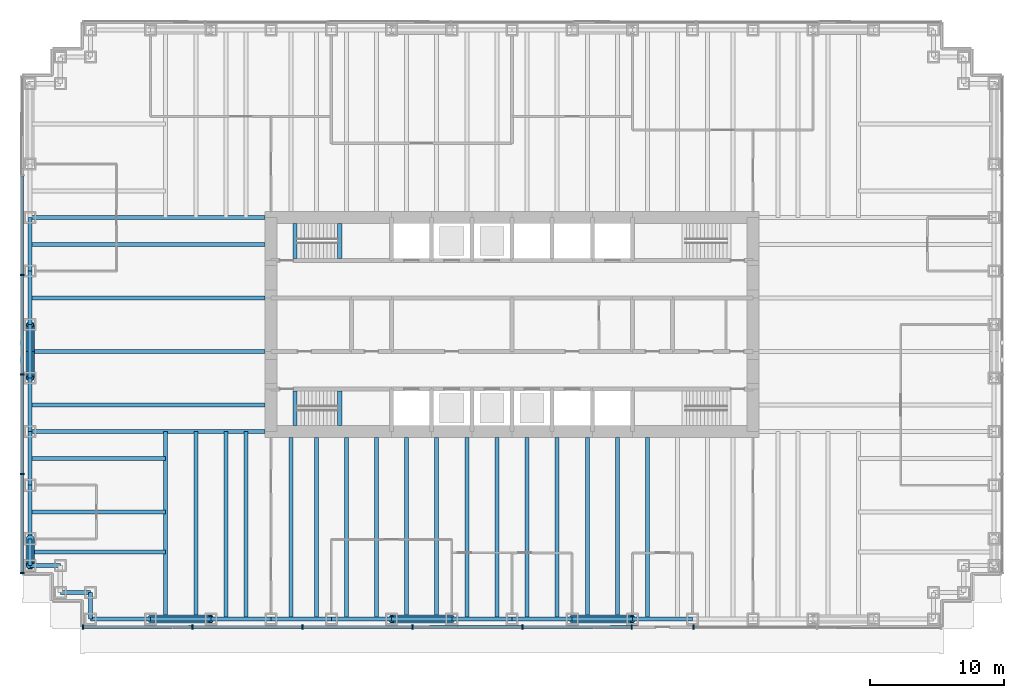
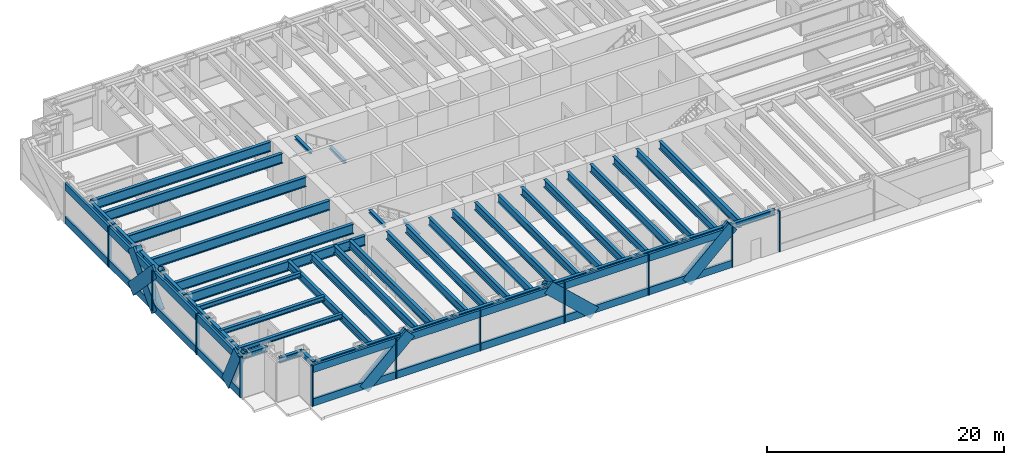
# One storey, part 2 of 14: 50 beams, 41 members, 3 elements without a shape of their own.
"""IFC4 building model written with IfcOpenShell, lengths in metres."""

from ifc_helpers import new_model, si_unit, direction, frame, origin, origin_2d, place, context, subcontext, project, spatial, rectangle, hollow_circle, i_section, extrude, material, material_profile, profile_set, type_object, element, aggregate, save


model = new_model("IFC4")

# Units and contexts
model_context = context("Model", 3, precision=1e-05, world=origin(), true_north=direction((0.0, 1.0)))
body_context = subcontext(model_context, "Body", "Model", "MODEL_VIEW")
ifc_project = project(units=[si_unit("LENGTHUNIT", "METRE"), si_unit("AREAUNIT", "SQUARE_METRE"), si_unit("VOLUMEUNIT", "CUBIC_METRE"), si_unit("PLANEANGLEUNIT", "RADIAN"), si_unit("MASSUNIT", "GRAM", prefix="KILO")], contexts=[model_context])

# Site, building, storey
site_placement = place(None, origin())
site = spatial("IfcSite", under=ifc_project, at=site_placement, CompositionType="ELEMENT")
building_placement = place(site_placement, origin())
building = spatial("IfcBuilding", under=site, at=building_placement, Name="Rheinbord Bourse Tower", CompositionType="ELEMENT")
storey_placement = place(building_placement, frame((0.0, 0.0, 100.5)))
storey = spatial("IfcBuildingStorey", under=building, at=storey_placement, Name="L21", CompositionType="ELEMENT", Elevation=100.5)

# Curtain wall, members
ifc_material_1 = material(Name="Dark glass and black aluminium", Category="aluminium")
curtain_wall_type = type_object("IfcCurtainWallType", Name="CW6 DARK GLASS CURTAIN WALL", PredefinedType="USERDEFINED", material=ifc_material_1)
curtain_wall_1_placement = place(storey_placement, origin())
curtain_wall_1 = element("IfcCurtainWall", 1, at=curtain_wall_1_placement, inside=storey, type_object=curtain_wall_type, Name="Curtain wall CW6 S L21", ObjectType="UNITISED CURTAIN WALL", PredefinedType="USERDEFINED")
ifc_material_2 = material(Name="Black anodised aluminium", Category="aluminium")
ifc_material_profile_1 = material_profile(ifc_material_2, rectangle(XDim=0.219970703125, YDim=1.2099609375, at=origin_2d()), Name="CW6 DIAGONAL MULLION 1210x220")
ifc_profile_set_1 = profile_set([ifc_material_profile_1], Name="Black anodised aluminium")
member_type_1 = type_object("IfcMemberType", Name="CW6 BLACK DIAGONAL MULLION", PredefinedType="USERDEFINED", material=ifc_profile_set_1)
member_1_placement = place(storey_placement, frame((31.5, 1.39990234375, 0.0), z_axis=(-0.73105922506, 0.0, 0.682314010889), x_axis=(0.0, -1.0, 0.0)))
member_1 = element("IfcMember", 2, at=member_1_placement, type_object=member_type_1, Name="CW6 diagonal mullion a", ObjectType="DIAGONAL MULLION", PredefinedType="USERDEFINED", context=body_context, shape_type="SweptSolid", body=[
    extrude(rectangle(XDim=0.219970703125, YDim=1.2099609375, at=origin_2d()), origin(), (0.0, 0.0, 1.0), 6.155517578125),
])
member_2_placement = place(storey_placement, frame((40.5, 1.39990234375, 0.0), z_axis=(0.73105922506, 0.0, 0.682314010889), x_axis=(0.0, 1.0, 0.0)))
member_2 = element("IfcMember", 3, at=member_2_placement, type_object=member_type_1, Name="CW6 diagonal mullion b", ObjectType="DIAGONAL MULLION", PredefinedType="USERDEFINED", context=body_context, shape_type="SweptSolid", body=[
    extrude(rectangle(XDim=0.219970703125, YDim=1.2099609375, at=origin_2d()), origin(), (0.0, 0.0, 1.0), 6.155517578125),
])
member_3_placement = place(storey_placement, frame((9.0, 1.39990234375, 0.0), z_axis=(0.73105922506, 0.0, 0.682314010889), x_axis=(0.0, 1.0, 0.0)))
member_3 = element("IfcMember", 4, at=member_3_placement, type_object=member_type_1, Name="CW6 diagonal mullion c", ObjectType="DIAGONAL MULLION", PredefinedType="USERDEFINED", context=body_context, shape_type="SweptSolid", body=[
    extrude(rectangle(XDim=0.219970703125, YDim=1.2099609375, at=origin_2d()), origin(), (0.0, 0.0, 1.0), 6.155517578125),
])

curtain_wall_2_placement = place(storey_placement, origin())
curtain_wall_2 = element("IfcCurtainWall", 5, at=curtain_wall_2_placement, inside=storey, type_object=curtain_wall_type, Name="Curtain wall CW6 W L21", ObjectType="UNITISED CURTAIN WALL", PredefinedType="USERDEFINED")
member_4_placement = place(storey_placement, frame((-0.60009765625, 20.0, 0.0), z_axis=(0.0, 0.689659376744, 0.724133926887), x_axis=(-1.0, 0.0, 0.0)))
member_4 = element("IfcMember", 6, at=member_4_placement, type_object=member_type_1, Name="CW6 diagonal mullion a", ObjectType="DIAGONAL MULLION", PredefinedType="USERDEFINED", context=body_context, shape_type="SweptSolid", body=[
    extrude(rectangle(XDim=0.219970703125, YDim=1.2099609375, at=origin_2d()), origin(), (0.0, 0.0, 1.0), 5.800048828125),
])
member_5_placement = place(storey_placement, frame((-0.60009765625, 24.0, 0.0), z_axis=(0.0, -0.689659376744, 0.724133926887), x_axis=(1.0, 0.0, 0.0)))
member_5 = element("IfcMember", 7, at=member_5_placement, type_object=member_type_1, Name="CW6 diagonal mullion b", ObjectType="DIAGONAL MULLION", PredefinedType="USERDEFINED", context=body_context, shape_type="SweptSolid", body=[
    extrude(rectangle(XDim=0.219970703125, YDim=1.2099609375, at=origin_2d()), origin(), (0.0, 0.0, 1.0), 5.800048828125),
])
member_6_placement = place(storey_placement, frame((-0.60009765625, 8.0, 0.0), z_axis=(0.0, -0.429937654825, 0.902858578607), x_axis=(1.0, 0.0, 0.0)))
member_6 = element("IfcMember", 8, at=member_6_placement, type_object=member_type_1, Name="CW6 diagonal mullion d", ObjectType="DIAGONAL MULLION", PredefinedType="USERDEFINED", context=body_context, shape_type="SweptSolid", body=[
    extrude(rectangle(XDim=0.219970703125, YDim=1.2099609375, at=origin_2d()), origin(), (0.0, 0.0, 1.0), 4.65185546875),
])

# Member
ifc_material_3 = material(Name="Black anodised aluminium", Category="aluminium")
ifc_material_profile_2 = material_profile(ifc_material_3, rectangle(XDim=0.320068359375, YDim=0.10009765625, at=origin_2d()), Name="CW6 MULLION 100x320")
ifc_profile_set_2 = profile_set([ifc_material_profile_2], Name="Black anodised aluminium")
member_type_2 = type_object("IfcMemberType", Name="CW6 BLACK MULLION", PredefinedType="MULLION", material=ifc_profile_set_2)
member_7_placement = place(storey_placement, frame((3.949951171875, 1.39990234375, 0.0), z_axis=(0.0, 0.0, 1.0), x_axis=(0.0, 1.0, 0.0)))
member_7 = element("IfcMember", 9, at=member_7_placement, type_object=member_type_2, Name="CW6 mullion 1", PredefinedType="MULLION", context=body_context, shape_type="SweptSolid", body=[
    extrude(rectangle(XDim=0.320068359375, YDim=0.10009765625, at=origin_2d()), origin(), (0.0, 0.0, 1.0), 4.199951171875),
])

member_8_placement = place(storey_placement, frame((12.1201171875, 1.39990234375, 0.0), z_axis=(0.0, 0.0, 1.0), x_axis=(0.0, 1.0, 0.0)))
member_8 = element("IfcMember", 10, at=member_8_placement, type_object=member_type_2, Name="CW6 mullion 2", PredefinedType="MULLION", context=body_context, shape_type="SweptSolid", body=[
    extrude(rectangle(XDim=0.320068359375, YDim=0.10009765625, at=origin_2d()), origin(), (0.0, 0.0, 1.0), 4.199951171875),
])

member_9_placement = place(storey_placement, frame((20.340087890625, 1.39990234375, 0.0), z_axis=(0.0, 0.0, 1.0), x_axis=(0.0, 1.0, 0.0)))
member_9 = element("IfcMember", 11, at=member_9_placement, type_object=member_type_2, Name="CW6 mullion 3", PredefinedType="MULLION", context=body_context, shape_type="SweptSolid", body=[
    extrude(rectangle(XDim=0.320068359375, YDim=0.10009765625, at=origin_2d()), origin(), (0.0, 0.0, 1.0), 4.199951171875),
])

member_10_placement = place(storey_placement, frame((28.56005859375, 1.39990234375, 0.0), z_axis=(0.0, 0.0, 1.0), x_axis=(0.0, 1.0, 0.0)))
member_10 = element("IfcMember", 12, at=member_10_placement, type_object=member_type_2, Name="CW6 mullion 4", PredefinedType="MULLION", context=body_context, shape_type="SweptSolid", body=[
    extrude(rectangle(XDim=0.320068359375, YDim=0.10009765625, at=origin_2d()), origin(), (0.0, 0.0, 1.0), 4.199951171875),
])

member_11_placement = place(storey_placement, frame((36.780029296875, 1.39990234375, 0.0), z_axis=(0.0, 0.0, 1.0), x_axis=(0.0, 1.0, 0.0)))
member_11 = element("IfcMember", 13, at=member_11_placement, type_object=member_type_2, Name="CW6 mullion 5", PredefinedType="MULLION", context=body_context, shape_type="SweptSolid", body=[
    extrude(rectangle(XDim=0.320068359375, YDim=0.10009765625, at=origin_2d()), origin(), (0.0, 0.0, 1.0), 4.199951171875),
])

member_12_placement = place(storey_placement, frame((44.949951171875, 1.39990234375, 0.0), z_axis=(0.0, 0.0, 1.0), x_axis=(0.0, 1.0, 0.0)))
member_12 = element("IfcMember", 14, at=member_12_placement, type_object=member_type_2, Name="CW6 mullion 6", PredefinedType="MULLION", context=body_context, shape_type="SweptSolid", body=[
    extrude(rectangle(XDim=0.320068359375, YDim=0.10009765625, at=origin_2d()), origin(), (0.0, 0.0, 1.0), 4.199951171875),
])

# Curtain wall, member
curtain_wall_3_placement = place(storey_placement, origin())
curtain_wall_3 = element("IfcCurtainWall", 15, at=curtain_wall_3_placement, inside=storey, type_object=curtain_wall_type, Name="Curtain wall CW6 S L21", ObjectType="UNITISED CURTAIN WALL", PredefinedType="USERDEFINED")
member_13_placement = place(storey_placement, frame((49.550048828125, 1.39990234375, 0.0), z_axis=(0.0, 0.0, 1.0), x_axis=(0.0, 1.0, 0.0)))
member_13 = element("IfcMember", 16, at=member_13_placement, type_object=member_type_2, Name="CW6 mullion 1", PredefinedType="MULLION", context=body_context, shape_type="SweptSolid", body=[
    extrude(rectangle(XDim=0.320068359375, YDim=0.10009765625, at=origin_2d()), origin(), (0.0, 0.0, 1.0), 4.199951171875),
])
aggregate(curtain_wall_3, [member_13])

# Member
member_14_placement = place(storey_placement, frame((-0.60009765625, 27.719970703125, 0.0), z_axis=(0.0, 0.0, 1.0), x_axis=(1.0, 0.0, 0.0)))
member_14 = element("IfcMember", 17, at=member_14_placement, type_object=member_type_2, Name="CW6 mullion 3", PredefinedType="MULLION", context=body_context, shape_type="SweptSolid", body=[
    extrude(rectangle(XDim=0.320068359375, YDim=0.10009765625, at=origin_2d()), origin(), (0.0, 0.0, 1.0), 4.199951171875),
])

member_15_placement = place(storey_placement, frame((-0.60009765625, 20.280029296875, 0.0), z_axis=(0.0, 0.0, 1.0), x_axis=(1.0, 0.0, 0.0)))
member_15 = element("IfcMember", 18, at=member_15_placement, type_object=member_type_2, Name="CW6 mullion 4", PredefinedType="MULLION", context=body_context, shape_type="SweptSolid", body=[
    extrude(rectangle(XDim=0.320068359375, YDim=0.10009765625, at=origin_2d()), origin(), (0.0, 0.0, 1.0), 4.199951171875),
])

member_16_placement = place(storey_placement, frame((-0.60009765625, 12.840087890625, 0.0), z_axis=(0.0, 0.0, 1.0), x_axis=(1.0, 0.0, 0.0)))
member_16 = element("IfcMember", 19, at=member_16_placement, type_object=member_type_2, Name="CW6 mullion 5", PredefinedType="MULLION", context=body_context, shape_type="SweptSolid", body=[
    extrude(rectangle(XDim=0.320068359375, YDim=0.10009765625, at=origin_2d()), origin(), (0.0, 0.0, 1.0), 4.199951171875),
])

member_17_placement = place(storey_placement, frame((-0.60009765625, 5.449951171875, 0.0), z_axis=(0.0, 0.0, 1.0), x_axis=(1.0, 0.0, 0.0)))
member_17 = element("IfcMember", 20, at=member_17_placement, type_object=member_type_2, Name="CW6 mullion 6", PredefinedType="MULLION", context=body_context, shape_type="SweptSolid", body=[
    extrude(rectangle(XDim=0.320068359375, YDim=0.10009765625, at=origin_2d()), origin(), (0.0, 0.0, 1.0), 4.199951171875),
])

ifc_material_4 = material(Name="Black anodised aluminium", Category="aluminium")
ifc_material_profile_3 = material_profile(ifc_material_4, rectangle(XDim=0.219970703125, YDim=0.75, at=origin_2d()), Name="CW6 TRANSOM 750x220")
ifc_profile_set_3 = profile_set([ifc_material_profile_3], Name="Black anodised aluminium")
member_type_3 = type_object("IfcMemberType", Name="CW6 BLACK TRANSOM", PredefinedType="USERDEFINED", material=ifc_profile_set_3)
member_18_placement = place(storey_placement, frame((4.0, 1.39990234375, 0.375), z_axis=(1.0, 0.0, 0.0), x_axis=(0.0, 1.0, 0.0)))
member_18 = element("IfcMember", 21, at=member_18_placement, type_object=member_type_3, Name="CW6 transom 1.1", ObjectType="TRANSOM", PredefinedType="USERDEFINED", context=body_context, shape_type="SweptSolid", body=[
    extrude(rectangle(XDim=0.219970703125, YDim=0.75, at=origin_2d()), origin(), (0.0, 0.0, 1.0), 8.070068359375),
])

member_19_placement = place(storey_placement, frame((4.0, 1.39990234375, 3.824951171875), z_axis=(1.0, 0.0, 0.0), x_axis=(0.0, 1.0, 0.0)))
member_19 = element("IfcMember", 22, at=member_19_placement, type_object=member_type_3, Name="CW6 transom 1.2", ObjectType="TRANSOM", PredefinedType="USERDEFINED", context=body_context, shape_type="SweptSolid", body=[
    extrude(rectangle(XDim=0.219970703125, YDim=0.75, at=origin_2d()), origin(), (0.0, 0.0, 1.0), 8.070068359375),
])

member_20_placement = place(storey_placement, frame((12.169921875, 1.39990234375, 0.375), z_axis=(1.0, 0.0, 0.0), x_axis=(0.0, 1.0, 0.0)))
member_20 = element("IfcMember", 23, at=member_20_placement, type_object=member_type_3, Name="CW6 transom 2.1", ObjectType="TRANSOM", PredefinedType="USERDEFINED", context=body_context, shape_type="SweptSolid", body=[
    extrude(rectangle(XDim=0.219970703125, YDim=0.75, at=origin_2d()), origin(), (0.0, 0.0, 1.0), 8.1201171875),
])

member_21_placement = place(storey_placement, frame((12.169921875, 1.39990234375, 3.824951171875), z_axis=(1.0, 0.0, 0.0), x_axis=(0.0, 1.0, 0.0)))
member_21 = element("IfcMember", 24, at=member_21_placement, type_object=member_type_3, Name="CW6 transom 2.2", ObjectType="TRANSOM", PredefinedType="USERDEFINED", context=body_context, shape_type="SweptSolid", body=[
    extrude(rectangle(XDim=0.219970703125, YDim=0.75, at=origin_2d()), origin(), (0.0, 0.0, 1.0), 8.1201171875),
])

member_22_placement = place(storey_placement, frame((20.389892578125, 1.39990234375, 0.375), z_axis=(1.0, 0.0, 0.0), x_axis=(0.0, 1.0, 0.0)))
member_22 = element("IfcMember", 25, at=member_22_placement, type_object=member_type_3, Name="CW6 transom 3.1", ObjectType="TRANSOM", PredefinedType="USERDEFINED", context=body_context, shape_type="SweptSolid", body=[
    extrude(rectangle(XDim=0.219970703125, YDim=0.75, at=origin_2d()), origin(), (0.0, 0.0, 1.0), 8.1201171875),
])

member_23_placement = place(storey_placement, frame((20.389892578125, 1.39990234375, 3.824951171875), z_axis=(1.0, 0.0, 0.0), x_axis=(0.0, 1.0, 0.0)))
member_23 = element("IfcMember", 26, at=member_23_placement, type_object=member_type_3, Name="CW6 transom 3.2", ObjectType="TRANSOM", PredefinedType="USERDEFINED", context=body_context, shape_type="SweptSolid", body=[
    extrude(rectangle(XDim=0.219970703125, YDim=0.75, at=origin_2d()), origin(), (0.0, 0.0, 1.0), 8.1201171875),
])

member_24_placement = place(storey_placement, frame((28.610107421875, 1.39990234375, 0.375), z_axis=(1.0, 0.0, 0.0), x_axis=(0.0, 1.0, 0.0)))
member_24 = element("IfcMember", 27, at=member_24_placement, type_object=member_type_3, Name="CW6 transom 4.1", ObjectType="TRANSOM", PredefinedType="USERDEFINED", context=body_context, shape_type="SweptSolid", body=[
    extrude(rectangle(XDim=0.219970703125, YDim=0.75, at=origin_2d()), origin(), (0.0, 0.0, 1.0), 8.119873046875),
])

member_25_placement = place(storey_placement, frame((28.610107421875, 1.39990234375, 3.824951171875), z_axis=(1.0, 0.0, 0.0), x_axis=(0.0, 1.0, 0.0)))
member_25 = element("IfcMember", 28, at=member_25_placement, type_object=member_type_3, Name="CW6 transom 4.2", ObjectType="TRANSOM", PredefinedType="USERDEFINED", context=body_context, shape_type="SweptSolid", body=[
    extrude(rectangle(XDim=0.219970703125, YDim=0.75, at=origin_2d()), origin(), (0.0, 0.0, 1.0), 8.119873046875),
])

member_26_placement = place(storey_placement, frame((36.830078125, 1.39990234375, 0.375), z_axis=(1.0, 0.0, 0.0), x_axis=(0.0, 1.0, 0.0)))
member_26 = element("IfcMember", 29, at=member_26_placement, type_object=member_type_3, Name="CW6 transom 5.1", ObjectType="TRANSOM", PredefinedType="USERDEFINED", context=body_context, shape_type="SweptSolid", body=[
    extrude(rectangle(XDim=0.219970703125, YDim=0.75, at=origin_2d()), origin(), (0.0, 0.0, 1.0), 8.06982421875),
])

member_27_placement = place(storey_placement, frame((36.830078125, 1.39990234375, 3.824951171875), z_axis=(1.0, 0.0, 0.0), x_axis=(0.0, 1.0, 0.0)))
member_27 = element("IfcMember", 30, at=member_27_placement, type_object=member_type_3, Name="CW6 transom 5.2", ObjectType="TRANSOM", PredefinedType="USERDEFINED", context=body_context, shape_type="SweptSolid", body=[
    extrude(rectangle(XDim=0.219970703125, YDim=0.75, at=origin_2d()), origin(), (0.0, 0.0, 1.0), 8.06982421875),
])

aggregate(curtain_wall_1, [member_7, member_8, member_9, member_10, member_11, member_12, member_18, member_19, member_20, member_21, member_22, member_23, member_24, member_25, member_26, member_27, member_1, member_2, member_3])

member_28_placement = place(storey_placement, frame((-0.60009765625, 35.110107421875, 0.375), z_axis=(0.0, -1.0, 0.0), x_axis=(1.0, 0.0, 0.0)))
member_28 = element("IfcMember", 31, at=member_28_placement, type_object=member_type_3, Name="CW6 transom 2.1", ObjectType="TRANSOM", PredefinedType="USERDEFINED", context=body_context, shape_type="SweptSolid", body=[
    extrude(rectangle(XDim=0.219970703125, YDim=0.75, at=origin_2d()), origin(), (0.0, 0.0, 1.0), 7.340087890625),
])

member_29_placement = place(storey_placement, frame((-0.60009765625, 35.110107421875, 3.824951171875), z_axis=(0.0, -1.0, 0.0), x_axis=(1.0, 0.0, 0.0)))
member_29 = element("IfcMember", 32, at=member_29_placement, type_object=member_type_3, Name="CW6 transom 2.2", ObjectType="TRANSOM", PredefinedType="USERDEFINED", context=body_context, shape_type="SweptSolid", body=[
    extrude(rectangle(XDim=0.219970703125, YDim=0.75, at=origin_2d()), origin(), (0.0, 0.0, 1.0), 7.340087890625),
])

member_30_placement = place(storey_placement, frame((-0.60009765625, 27.669921875, 0.375), z_axis=(0.0, -1.0, 0.0), x_axis=(1.0, 0.0, 0.0)))
member_30 = element("IfcMember", 33, at=member_30_placement, type_object=member_type_3, Name="CW6 transom 3.1", ObjectType="TRANSOM", PredefinedType="USERDEFINED", context=body_context, shape_type="SweptSolid", body=[
    extrude(rectangle(XDim=0.219970703125, YDim=0.75, at=origin_2d()), origin(), (0.0, 0.0, 1.0), 7.33984375),
])

member_31_placement = place(storey_placement, frame((-0.60009765625, 27.669921875, 3.824951171875), z_axis=(0.0, -1.0, 0.0), x_axis=(1.0, 0.0, 0.0)))
member_31 = element("IfcMember", 34, at=member_31_placement, type_object=member_type_3, Name="CW6 transom 3.2", ObjectType="TRANSOM", PredefinedType="USERDEFINED", context=body_context, shape_type="SweptSolid", body=[
    extrude(rectangle(XDim=0.219970703125, YDim=0.75, at=origin_2d()), origin(), (0.0, 0.0, 1.0), 7.33984375),
])

member_32_placement = place(storey_placement, frame((-0.60009765625, 20.22998046875, 0.375), z_axis=(0.0, -1.0, 0.0), x_axis=(1.0, 0.0, 0.0)))
member_32 = element("IfcMember", 35, at=member_32_placement, type_object=member_type_3, Name="CW6 transom 4.1", ObjectType="TRANSOM", PredefinedType="USERDEFINED", context=body_context, shape_type="SweptSolid", body=[
    extrude(rectangle(XDim=0.219970703125, YDim=0.75, at=origin_2d()), origin(), (0.0, 0.0, 1.0), 7.340087890625),
])

member_33_placement = place(storey_placement, frame((-0.60009765625, 20.22998046875, 3.824951171875), z_axis=(0.0, -1.0, 0.0), x_axis=(1.0, 0.0, 0.0)))
member_33 = element("IfcMember", 36, at=member_33_placement, type_object=member_type_3, Name="CW6 transom 4.2", ObjectType="TRANSOM", PredefinedType="USERDEFINED", context=body_context, shape_type="SweptSolid", body=[
    extrude(rectangle(XDim=0.219970703125, YDim=0.75, at=origin_2d()), origin(), (0.0, 0.0, 1.0), 7.340087890625),
])

member_34_placement = place(storey_placement, frame((-0.60009765625, 12.7900390625, 0.375), z_axis=(0.0, -1.0, 0.0), x_axis=(1.0, 0.0, 0.0)))
member_34 = element("IfcMember", 37, at=member_34_placement, type_object=member_type_3, Name="CW6 transom 5.1", ObjectType="TRANSOM", PredefinedType="USERDEFINED", context=body_context, shape_type="SweptSolid", body=[
    extrude(rectangle(XDim=0.219970703125, YDim=0.75, at=origin_2d()), origin(), (0.0, 0.0, 1.0), 7.2900390625),
])

member_35_placement = place(storey_placement, frame((-0.60009765625, 12.7900390625, 3.824951171875), z_axis=(0.0, -1.0, 0.0), x_axis=(1.0, 0.0, 0.0)))
member_35 = element("IfcMember", 38, at=member_35_placement, type_object=member_type_3, Name="CW6 transom 5.2", ObjectType="TRANSOM", PredefinedType="USERDEFINED", context=body_context, shape_type="SweptSolid", body=[
    extrude(rectangle(XDim=0.219970703125, YDim=0.75, at=origin_2d()), origin(), (0.0, 0.0, 1.0), 7.2900390625),
])

aggregate(curtain_wall_2, [member_14, member_15, member_16, member_17, member_28, member_29, member_30, member_31, member_32, member_33, member_34, member_35, member_4, member_5, member_6])

# Beams
ifc_material_5 = material(Name="Steel S460", Category="steel")
ifc_material_profile_4 = material_profile(ifc_material_5, i_section(OverallWidth=0.302001953125, OverallDepth=1.008056640625, WebThickness=0.02099609375, FlangeThickness=0.0400390625, at=origin_2d()), Name="HEM 1000")
ifc_profile_set_4 = profile_set([ifc_material_profile_4], Name="Steel S460")
beam_type_1 = type_object("IfcBeamType", Name="END BEAM HEM 1000", PredefinedType="BEAM", material=ifc_profile_set_4)
for number, where, z_axis, x_axis, name in (
    (39, (0.0, 18.0, 3.535888671875), (1.0, 0.0, 0.0), (0.0, 1.0, 0.0), "End beam west 18 L22"),
    (40, (0.0, 22.0, 3.535888671875), (1.0, 0.0, 0.0), (0.0, 1.0, 0.0), "End beam west 22 L22"),
    (41, (0.0, 26.0, 3.535888671875), (1.0, 0.0, 0.0), (0.0, 1.0, 0.0), "End beam west 26 L22"),
    (42, (0.0, 30.0, 3.535888671875), (1.0, 0.0, 0.0), (0.0, 1.0, 0.0), "End beam west 30 L22"),
):
    element("IfcBeam", number, at=place(storey_placement, frame(where, z_axis=z_axis, x_axis=x_axis)), inside=storey, type_object=beam_type_1, Name=name, PredefinedType="BEAM", context=body_context, shape_type="SweptSolid", body=[
        extrude(i_section(OverallWidth=0.302001953125, OverallDepth=1.008056640625, WebThickness=0.02099609375, FlangeThickness=0.0400390625, at=origin_2d()), origin(), (0.0, 0.0, 1.0), 17.550048828125),
    ])
ifc_material_6 = material(Name="Steel S460", Category="steel")
ifc_material_profile_5 = material_profile(ifc_material_6, i_section(OverallWidth=0.300048828125, OverallDepth=0.800048828125, WebThickness=0.017578125, FlangeThickness=0.032958984375, at=origin_2d()), Name="HEB 800")
ifc_profile_set_5 = profile_set([ifc_material_profile_5], Name="Steel S460")
beam_type_2 = type_object("IfcBeamType", Name="FLOOR BEAM HEB 800", PredefinedType="BEAM", material=ifc_profile_set_5)
for number, where, z_axis, x_axis, name in (
    (43, (10.125, 2.0, 3.639892578125), (0.0, 1.0, 0.0), (-1.0, 0.0, 0.0), "Floor beam S-9a L22"),
    (44, (12.375, 2.0, 3.639892578125), (0.0, 1.0, 0.0), (-1.0, 0.0, 0.0), "Floor beam S-9b L22"),
    (45, (14.625, 2.0, 3.639892578125), (0.0, 1.0, 0.0), (-1.0, 0.0, 0.0), "Floor beam S-13.5a L22"),
    (46, (16.125, 2.0, 3.639892578125), (0.0, 1.0, 0.0), (-1.0, 0.0, 0.0), "Floor beam S-13.5b L22"),
):
    element("IfcBeam", number, at=place(storey_placement, frame(where, z_axis=z_axis, x_axis=x_axis)), inside=storey, type_object=beam_type_2, Name=name, PredefinedType="BEAM", context=body_context, shape_type="SweptSolid", body=[
        extrude(i_section(OverallWidth=0.300048828125, OverallDepth=0.800048828125, WebThickness=0.017578125, FlangeThickness=0.032958984375, at=origin_2d()), origin(), (0.0, 0.0, 1.0), 14.0),
    ])
for number, where, z_axis, x_axis, name in (
    (47, (19.5, 2.0, 3.639892578125), (0.0, 1.0, 0.0), (-1.0, 0.0, 0.0), "Floor beam S-18a L22"),
    (48, (21.375, 2.0, 3.639892578125), (0.0, 1.0, 0.0), (-1.0, 0.0, 0.0), "Floor beam S-18b L22"),
    (49, (23.625, 2.0, 3.639892578125), (0.0, 1.0, 0.0), (-1.0, 0.0, 0.0), "Floor beam S-22.5a L22"),
    (50, (25.875, 2.0, 3.639892578125), (0.0, 1.0, 0.0), (-1.0, 0.0, 0.0), "Floor beam S-22.5b L22"),
    (51, (28.125, 2.0, 3.639892578125), (0.0, 1.0, 0.0), (-1.0, 0.0, 0.0), "Floor beam S-27a L22"),
    (52, (30.375, 2.0, 3.639892578125), (0.0, 1.0, 0.0), (-1.0, 0.0, 0.0), "Floor beam S-27b L22"),
    (53, (32.625, 2.0, 3.639892578125), (0.0, 1.0, 0.0), (-1.0, 0.0, 0.0), "Floor beam S-31.5a L22"),
    (54, (34.875, 2.0, 3.639892578125), (0.0, 1.0, 0.0), (-1.0, 0.0, 0.0), "Floor beam S-31.5b L22"),
    (55, (37.125, 2.0, 3.639892578125), (0.0, 1.0, 0.0), (-1.0, 0.0, 0.0), "Floor beam S-36a L22"),
    (56, (39.375, 2.0, 3.639892578125), (0.0, 1.0, 0.0), (-1.0, 0.0, 0.0), "Floor beam S-36b L22"),
    (57, (41.625, 2.0, 3.639892578125), (0.0, 1.0, 0.0), (-1.0, 0.0, 0.0), "Floor beam S-40.5a L22"),
    (58, (43.875, 2.0, 3.639892578125), (0.0, 1.0, 0.0), (-1.0, 0.0, 0.0), "Floor beam S-40.5b L22"),
    (59, (46.125, 2.0, 3.639892578125), (0.0, 1.0, 0.0), (-1.0, 0.0, 0.0), "Floor beam S-45a L22"),
):
    element("IfcBeam", number, at=place(storey_placement, frame(where, z_axis=z_axis, x_axis=x_axis)), inside=storey, type_object=beam_type_2, Name=name, PredefinedType="BEAM", context=body_context, shape_type="SweptSolid", body=[
        extrude(i_section(OverallWidth=0.300048828125, OverallDepth=0.800048828125, WebThickness=0.017578125, FlangeThickness=0.032958984375, at=origin_2d()), origin(), (0.0, 0.0, 1.0), 13.550048828125),
    ])
ifc_material_7 = material(Name="Steel S460", Category="steel")
ifc_material_profile_6 = material_profile(ifc_material_7, i_section(OverallWidth=0.302001953125, OverallDepth=1.008056640625, WebThickness=0.02099609375, FlangeThickness=0.0400390625, at=origin_2d()), Name="HEM 1000")
ifc_profile_set_6 = profile_set([ifc_material_profile_6], Name="Steel S460")
beam_type_3 = type_object("IfcBeamType", Name="GIRDER HEM 1000", PredefinedType="BEAM", material=ifc_profile_set_6)
for number, where, z_axis, x_axis, name in (
    (60, (0.0, 16.0, 3.535888671875), (1.0, 0.0, 0.0), (0.0, 1.0, 0.0), "Girder west 16 L22"),
    (61, (0.0, 32.0, 3.535888671875), (1.0, 0.0, 0.0), (0.0, 1.0, 0.0), "Girder west 32 L22"),
):
    element("IfcBeam", number, at=place(storey_placement, frame(where, z_axis=z_axis, x_axis=x_axis)), inside=storey, type_object=beam_type_3, Name=name, PredefinedType="BEAM", context=body_context, shape_type="SweptSolid", body=[
        extrude(i_section(OverallWidth=0.302001953125, OverallDepth=1.008056640625, WebThickness=0.02099609375, FlangeThickness=0.0400390625, at=origin_2d()), origin(), (0.0, 0.0, 1.0), 17.550048828125),
    ])
ifc_material_8 = material(Name="Steel S460", Category="steel")
ifc_material_profile_7 = material_profile(ifc_material_8, i_section(OverallWidth=0.300048828125, OverallDepth=0.300048828125, WebThickness=0.010986328125, FlangeThickness=0.01904296875, at=origin_2d()), Name="HEB 300")
ifc_profile_set_7 = profile_set([ifc_material_profile_7], Name="Steel S460")
beam_type_4 = type_object("IfcBeamType", Name="LANDING TRIMMER HEB 300", PredefinedType="BEAM", material=ifc_profile_set_7)
for number, where, z_axis, x_axis, name in (
    (62, (23.1298828125, 16.449951171875, 1.75), (0.0, 1.0, 0.0), (-1.0, 0.0, 0.0), "Landing trimmer ST1 L21"),
    (63, (19.800048828125, 16.449951171875, 3.889892578125), (0.0, 1.0, 0.0), (-1.0, 0.0, 0.0), "Well trimmer ST1 under L22"),
    (64, (23.1298828125, 28.949951171875, 1.75), (0.0, 1.0, 0.0), (-1.0, 0.0, 0.0), "Landing trimmer ST2 L21"),
    (65, (19.800048828125, 28.949951171875, 3.889892578125), (0.0, 1.0, 0.0), (-1.0, 0.0, 0.0), "Well trimmer ST2 under L22"),
):
    element("IfcBeam", number, at=place(storey_placement, frame(where, z_axis=z_axis, x_axis=x_axis)), inside=storey, type_object=beam_type_4, Name=name, PredefinedType="BEAM", context=body_context, shape_type="SweptSolid", body=[
        extrude(i_section(OverallWidth=0.300048828125, OverallDepth=0.300048828125, WebThickness=0.010986328125, FlangeThickness=0.01904296875, at=origin_2d()), origin(), (0.0, 0.0, 1.0), 2.60009765625),
    ])

# Members
ifc_material_9 = material(Name="Steel S460", Category="steel")
ifc_material_profile_8 = material_profile(ifc_material_9, hollow_circle(Radius=0.304931640625, WallThickness=0.0400390625, at=origin_2d()), Name="CHS 610x40")
ifc_profile_set_8 = profile_set([ifc_material_profile_8], Name="Steel S460")
member_type_4 = type_object("IfcMemberType", Name="MEGABRACE CHS 610x40", PredefinedType="BRACE", material=ifc_profile_set_8)
for number, where, z_axis, x_axis, name in (
    (66, (31.5, 2.0, 0.0), (-0.73105922506, 0.0, 0.682314010889), (0.0, -1.0, 0.0), "Megabrace S face line a L21"),
    (67, (40.5, 2.0, 0.0), (0.73105922506, 0.0, 0.682314010889), (0.0, 1.0, 0.0), "Megabrace S face line b L21"),
    (68, (9.0, 2.0, 0.0), (0.73105922506, 0.0, 0.682314010889), (0.0, 1.0, 0.0), "Megabrace S face line c L21"),
):
    element("IfcMember", number, at=place(storey_placement, frame(where, z_axis=z_axis, x_axis=x_axis)), inside=storey, type_object=member_type_4, Name=name, PredefinedType="BRACE", context=body_context, shape_type="SweptSolid", body=[
        extrude(hollow_circle(Radius=0.304931640625, WallThickness=0.0400390625, at=origin_2d()), origin(), (0.0, 0.0, 1.0), 6.155517578125),
    ])
for number, where, z_axis, x_axis, name in (
    (69, (0.0, 20.0, 0.0), (0.0, 0.689659376744, 0.724133926887), (-1.0, 0.0, 0.0), "Megabrace W face line a L21"),
    (70, (0.0, 24.0, 0.0), (0.0, -0.689659376744, 0.724133926887), (1.0, 0.0, 0.0), "Megabrace W face line b L21"),
):
    element("IfcMember", number, at=place(storey_placement, frame(where, z_axis=z_axis, x_axis=x_axis)), inside=storey, type_object=member_type_4, Name=name, PredefinedType="BRACE", context=body_context, shape_type="SweptSolid", body=[
        extrude(hollow_circle(Radius=0.304931640625, WallThickness=0.0400390625, at=origin_2d()), origin(), (0.0, 0.0, 1.0), 5.800048828125),
    ])
member_36_placement = place(storey_placement, frame((0.0, 8.0, 0.0), z_axis=(0.0, -0.429937654825, 0.902858578607), x_axis=(1.0, 0.0, 0.0)))
element("IfcMember", 71, at=member_36_placement, inside=storey, type_object=member_type_4, Name="Megabrace W face line d L21", PredefinedType="BRACE", context=body_context, shape_type="SweptSolid", body=[
    extrude(hollow_circle(Radius=0.304931640625, WallThickness=0.0400390625, at=origin_2d()), origin(), (0.0, 0.0, 1.0), 4.65185546875),
])

# Beams
ifc_material_10 = material(Name="Steel S460", Category="steel")
ifc_material_profile_9 = material_profile(ifc_material_10, i_section(OverallWidth=0.305908203125, OverallDepth=0.572021484375, WebThickness=0.02099609375, FlangeThickness=0.0400390625, at=origin_2d()), Name="HEM 550")
ifc_profile_set_9 = profile_set([ifc_material_profile_9], Name="Steel S460")
beam_type_5 = type_object("IfcBeamType", Name="SPANDREL HEM 550", PredefinedType="SPANDREL", material=ifc_profile_set_9)
for number, where, z_axis, x_axis, name in (
    (72, (4.5, 2.0, 3.75390625), (1.0, 0.0, 0.0), (0.0, 1.0, 0.0), "Spandrel SW-E-S-9 under L22"),
    (73, (9.0, 2.0, 3.75390625), (1.0, 0.0, 0.0), (0.0, 1.0, 0.0), "Spandrel S-9-S-13.5 under L22"),
    (74, (13.5, 2.0, 3.75390625), (1.0, 0.0, 0.0), (0.0, 1.0, 0.0), "Spandrel S-13.5-S-18 under L22"),
    (75, (18.0, 2.0, 3.75390625), (1.0, 0.0, 0.0), (0.0, 1.0, 0.0), "Spandrel S-18-S-22.5 under L22"),
    (76, (22.5, 2.0, 3.75390625), (1.0, 0.0, 0.0), (0.0, 1.0, 0.0), "Spandrel S-22.5-S-27 under L22"),
    (77, (27.0, 2.0, 3.75390625), (1.0, 0.0, 0.0), (0.0, 1.0, 0.0), "Spandrel S-27-S-31.5 under L22"),
    (78, (31.5, 2.0, 3.75390625), (1.0, 0.0, 0.0), (0.0, 1.0, 0.0), "Spandrel S-31.5-S-36 under L22"),
    (79, (36.0, 2.0, 3.75390625), (1.0, 0.0, 0.0), (0.0, 1.0, 0.0), "Spandrel S-36-S-40.5 under L22"),
    (80, (40.5, 2.0, 3.75390625), (1.0, 0.0, 0.0), (0.0, 1.0, 0.0), "Spandrel S-40.5-S-45 under L22"),
    (81, (45.0, 2.0, 3.75390625), (1.0, 0.0, 0.0), (0.0, 1.0, 0.0), "Spandrel S-45-S-49.5 under L22"),
):
    element("IfcBeam", number, at=place(storey_placement, frame(where, z_axis=z_axis, x_axis=x_axis)), inside=storey, type_object=beam_type_5, Name=name, PredefinedType="SPANDREL", context=body_context, shape_type="SweptSolid", body=[
        extrude(i_section(OverallWidth=0.305908203125, OverallDepth=0.572021484375, WebThickness=0.02099609375, FlangeThickness=0.0400390625, at=origin_2d()), origin(), (0.0, 0.0, 1.0), 4.5),
    ])
for number, where, z_axis, x_axis, name in (
    (82, (0.0, 32.0, 3.75390625), (0.0, -1.0, 0.0), (1.0, 0.0, 0.0), "Spandrel W-32-W-28 under L22"),
    (83, (0.0, 28.0, 3.75390625), (0.0, -1.0, 0.0), (1.0, 0.0, 0.0), "Spandrel W-28-W-24 under L22"),
    (84, (0.0, 24.0, 3.75390625), (0.0, -1.0, 0.0), (1.0, 0.0, 0.0), "Spandrel W-24-W-20 under L22"),
    (85, (0.0, 20.0, 3.75390625), (0.0, -1.0, 0.0), (1.0, 0.0, 0.0), "Spandrel W-20-W-16 under L22"),
    (86, (0.0, 16.0, 3.75390625), (0.0, -1.0, 0.0), (1.0, 0.0, 0.0), "Spandrel W-16-W-12 under L22"),
    (87, (0.0, 12.0, 3.75390625), (0.0, -1.0, 0.0), (1.0, 0.0, 0.0), "Spandrel W-12-W-8 under L22"),
):
    element("IfcBeam", number, at=place(storey_placement, frame(where, z_axis=z_axis, x_axis=x_axis)), inside=storey, type_object=beam_type_5, Name=name, PredefinedType="SPANDREL", context=body_context, shape_type="SweptSolid", body=[
        extrude(i_section(OverallWidth=0.305908203125, OverallDepth=0.572021484375, WebThickness=0.02099609375, FlangeThickness=0.0400390625, at=origin_2d()), origin(), (0.0, 0.0, 1.0), 4.0),
    ])
beam_1_placement = place(storey_placement, frame((0.0, 8.0, 3.75390625), z_axis=(0.0, -1.0, 0.0), x_axis=(1.0, 0.0, 0.0)))
element("IfcBeam", 88, at=beam_1_placement, inside=storey, type_object=beam_type_5, Name="Spandrel W-8-SW-A under L22", PredefinedType="SPANDREL", context=body_context, shape_type="SweptSolid", body=[
    extrude(i_section(OverallWidth=0.305908203125, OverallDepth=0.572021484375, WebThickness=0.02099609375, FlangeThickness=0.0400390625, at=origin_2d()), origin(), (0.0, 0.0, 1.0), 2.0),
])
for number, where, z_axis, x_axis, name in (
    (89, (0.0, 6.0, 3.75390625), (1.0, 0.0, 0.0), (0.0, 1.0, 0.0), "Spandrel SW-A-SW-B under L22"),
    (90, (2.25, 4.0, 3.75390625), (1.0, 0.0, 0.0), (0.0, 1.0, 0.0), "Spandrel SW-C-SW-D under L22"),
):
    element("IfcBeam", number, at=place(storey_placement, frame(where, z_axis=z_axis, x_axis=x_axis)), inside=storey, type_object=beam_type_5, Name=name, PredefinedType="SPANDREL", context=body_context, shape_type="SweptSolid", body=[
        extrude(i_section(OverallWidth=0.305908203125, OverallDepth=0.572021484375, WebThickness=0.02099609375, FlangeThickness=0.0400390625, at=origin_2d()), origin(), (0.0, 0.0, 1.0), 2.25),
    ])
beam_2_placement = place(storey_placement, frame((4.5, 4.0, 3.75390625), z_axis=(0.0, -1.0, 0.0), x_axis=(1.0, 0.0, 0.0)))
element("IfcBeam", 91, at=beam_2_placement, inside=storey, type_object=beam_type_5, Name="Spandrel SW-D-SW-E under L22", PredefinedType="SPANDREL", context=body_context, shape_type="SweptSolid", body=[
    extrude(i_section(OverallWidth=0.305908203125, OverallDepth=0.572021484375, WebThickness=0.02099609375, FlangeThickness=0.0400390625, at=origin_2d()), origin(), (0.0, 0.0, 1.0), 2.0),
])
ifc_material_11 = material(Name="Steel S460", Category="steel")
ifc_material_profile_10 = material_profile(ifc_material_11, i_section(OverallWidth=0.300048828125, OverallDepth=0.5, WebThickness=0.014404296875, FlangeThickness=0.028076171875, at=origin_2d()), Name="HEB 500")
ifc_profile_set_10 = profile_set([ifc_material_profile_10], Name="Steel S460")
beam_type_6 = type_object("IfcBeamType", Name="TIE BEAM HEB 500", PredefinedType="JOIST", material=ifc_profile_set_10)
for number, where, z_axis, x_axis, name in (
    (92, (0.0, 7.0, 3.7900390625), (1.0, 0.0, 0.0), (0.0, 1.0, 0.0), "Tie west 7 L22"),
    (93, (0.0, 10.0, 3.7900390625), (1.0, 0.0, 0.0), (0.0, 1.0, 0.0), "Tie west 10 L22"),
    (94, (0.0, 14.0, 3.7900390625), (1.0, 0.0, 0.0), (0.0, 1.0, 0.0), "Tie west 14 L22"),
):
    element("IfcBeam", number, at=place(storey_placement, frame(where, z_axis=z_axis, x_axis=x_axis)), inside=storey, type_object=beam_type_6, Name=name, PredefinedType="JOIST", context=body_context, shape_type="SweptSolid", body=[
        extrude(i_section(OverallWidth=0.300048828125, OverallDepth=0.5, WebThickness=0.014404296875, FlangeThickness=0.028076171875, at=origin_2d()), origin(), (0.0, 0.0, 1.0), 10.125),
    ])

save(model, "model.ifc")
